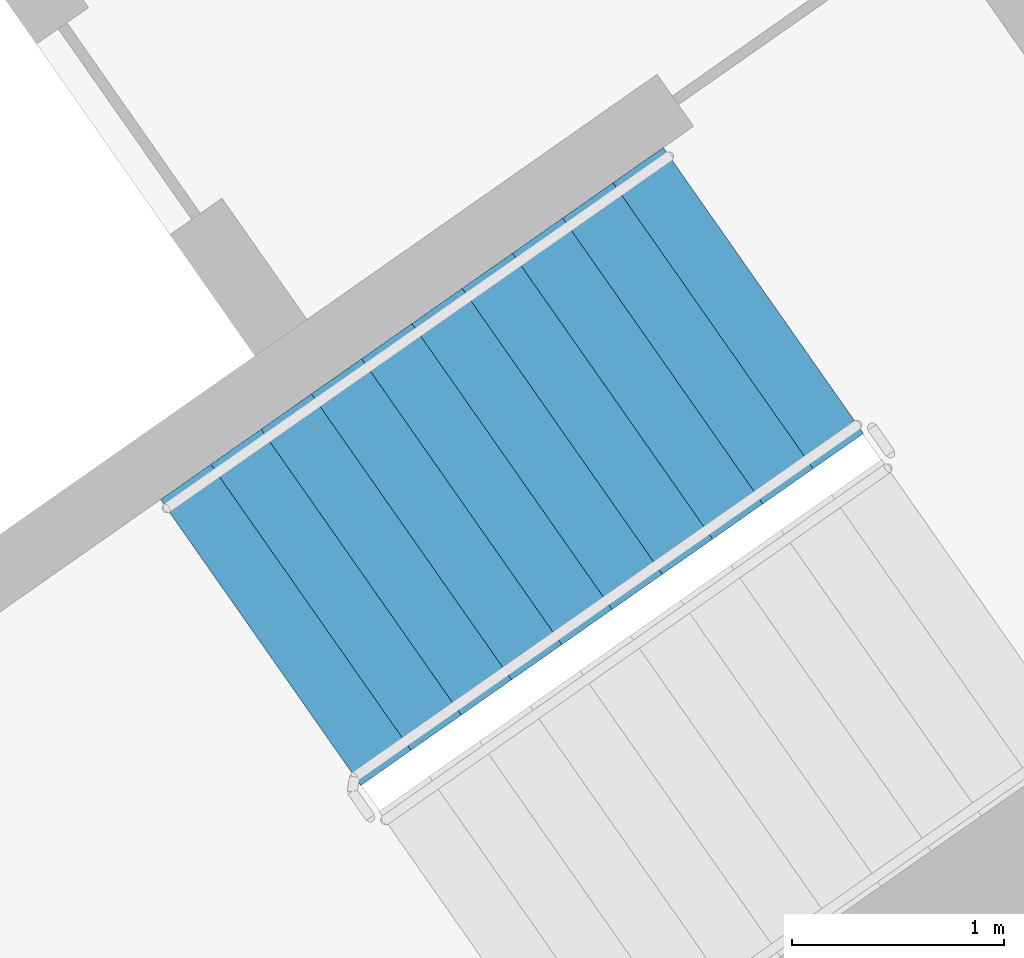
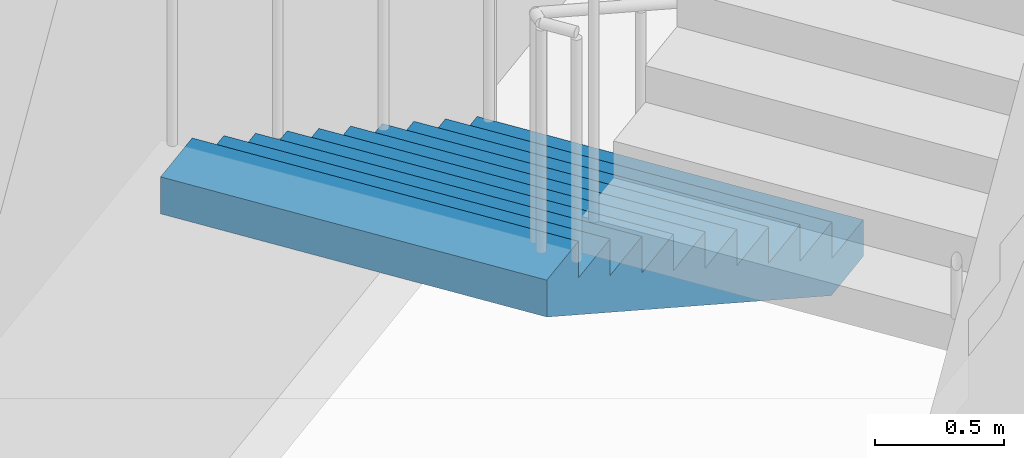
# One storey, part 14 of 27: 1 stair flight, 1 element without a shape of its own.
"""IFC4 building model written with IfcOpenShell, lengths in metres."""

from ifc_helpers import new_model, si_unit, direction, frame, origin, place, context, subcontext, project, spatial, faceted_brep, material, type_object, element, aggregate, save


model = new_model("IFC4")

# Units and contexts
model_context = context("Model", 3, precision=1e-05, world=origin(), true_north=direction((0.0, 1.0)))
body_context = subcontext(model_context, "Body", "Model", "MODEL_VIEW")
ifc_project = project(units=[si_unit("LENGTHUNIT", "METRE"), si_unit("AREAUNIT", "SQUARE_METRE"), si_unit("VOLUMEUNIT", "CUBIC_METRE"), si_unit("PLANEANGLEUNIT", "RADIAN"), si_unit("MASSUNIT", "GRAM", prefix="KILO")], contexts=[model_context])

# Site, building, storey
site_placement = place(None, origin())
site = spatial("IfcSite", under=ifc_project, at=site_placement, CompositionType="ELEMENT")
building_placement = place(site_placement, origin())
building = spatial("IfcBuilding", under=site, at=building_placement, Name="Qamariyya Broadcast Tower", CompositionType="ELEMENT")
storey_placement = place(building_placement, frame((0.0, 0.0, 191.10009765625)))
storey = spatial("IfcBuildingStorey", under=building, at=storey_placement, Name="L45", CompositionType="ELEMENT", Elevation=191.10009765625)

# Stair, stair flight
ifc_material = material(Name="Concrete C50/60", Category="concrete")
stair_type = type_object("IfcStairType", Name="Exit stair 22 risers of 173 mm", PredefinedType="HALF_TURN_STAIR", material=ifc_material)
stair_placement = place(storey_placement, origin())
stair = element("IfcStair", 1, at=stair_placement, inside=storey, type_object=stair_type, Name="L45 Stair E1", PredefinedType="HALF_TURN_STAIR")
stair_flight_type = type_object("IfcStairFlightType", Name="Exit stair flight 11 risers of 173 mm", PredefinedType="STRAIGHT", material=ifc_material)
stair_flight_placement = place(storey_placement, frame((46.036376953125, -55.508056640625, 0.0), z_axis=(0.0, 0.0, 1.0), x_axis=(-0.819152044289, -0.573576436351, 0.0)))
stair_flight = element("IfcStairFlight", 2, at=stair_flight_placement, type_object=stair_flight_type, Name="ST-E1 flight 1", NumberOfRisers=11, NumberOfTreads=10, PredefinedType="STRAIGHT", RiserHeight=0.172727273, TreadLength=0.29, context=body_context, shape_type="Brep", body=[
    faceted_brep([(0.0, 0.824951171875, 0.0), (0.0, 0.824951171875, 0.172607421875), (0.2900390625, 0.824951171875, 0.172607421875), (0.2900390625, 0.824951171875, 0.345458984375), (0.580078125, 0.824951171875, 0.345458984375), (0.580078125, 0.824951171875, 0.51806640625), (0.8701171875, 0.824951171875, 0.51806640625), (0.8701171875, 0.824951171875, 0.69091796875), (1.159912109375, 0.824951171875, 0.69091796875), (1.159912109375, 0.824951171875, 0.863525390625), (1.449951171875, 0.824951171875, 0.863525390625), (1.449951171875, 0.824951171875, 1.036376953125), (1.739990234375, 0.824951171875, 1.036376953125), (1.739990234375, 0.824951171875, 1.208984375), (2.030029296875, 0.824951171875, 1.208984375), (2.030029296875, 0.824951171875, 1.3818359375), (2.320068359375, 0.824951171875, 1.3818359375), (2.320068359375, 0.824951171875, 1.554443359375), (2.610107421875, 0.824951171875, 1.554443359375), (2.610107421875, 0.824951171875, 1.727294921875), (2.89990234375, 0.824951171875, 1.727294921875), (2.89990234375, 0.824951171875, 1.552734375), (0.29296875, 0.824951171875, 0.0), (0.29296875, -0.824951171875, 0.0), (2.89990234375, -0.824951171875, 1.552734375), (2.89990234375, -0.824951171875, 1.727294921875), (2.610107421875, -0.824951171875, 1.727294921875), (2.610107421875, -0.824951171875, 1.554443359375), (2.320068359375, -0.824951171875, 1.554443359375), (2.320068359375, -0.824951171875, 1.3818359375), (2.030029296875, -0.824951171875, 1.3818359375), (2.030029296875, -0.824951171875, 1.208984375), (1.739990234375, -0.824951171875, 1.208984375), (1.739990234375, -0.824951171875, 1.036376953125), (1.449951171875, -0.824951171875, 1.036376953125), (1.449951171875, -0.824951171875, 0.863525390625), (1.159912109375, -0.824951171875, 0.863525390625), (1.159912109375, -0.824951171875, 0.69091796875), (0.8701171875, -0.824951171875, 0.69091796875), (0.8701171875, -0.824951171875, 0.51806640625), (0.580078125, -0.824951171875, 0.51806640625), (0.580078125, -0.824951171875, 0.345458984375), (0.2900390625, -0.824951171875, 0.345458984375), (0.2900390625, -0.824951171875, 0.172607421875), (0.0, -0.824951171875, 0.172607421875), (0.0, -0.824951171875, 0.0), (0.0, 0.10009765625, 0.0), (0.0, 0.086669921875, 0.0), (0.0, 0.0732421875, 0.0), (0.0, 0.06005859375, 0.0), (0.0, 0.046630859375, 0.0), (0.0, 0.033447265625, 0.0), (0.0, 0.02001953125, 0.0), (0.0, 0.006591796875, 0.0), (0.0, -0.006591796875, 0.0), (0.0, -0.02001953125, 0.0), (0.0, -0.033447265625, 0.0), (0.0, -0.046630859375, 0.0), (0.0, -0.06005859375, 0.0), (0.0, -0.0732421875, 0.0), (0.0, -0.086669921875, 0.0), (0.0, -0.10009765625, 0.0), (0.0, -0.10009765625, 0.172607421875), (0.0, -0.086669921875, 0.172607421875), (0.0, -0.0732421875, 0.172607421875), (0.0, -0.06005859375, 0.172607421875), (0.0, -0.046630859375, 0.172607421875), (0.0, -0.033447265625, 0.172607421875), (0.0, -0.02001953125, 0.172607421875), (0.0, -0.006591796875, 0.172607421875), (0.0, 0.006591796875, 0.172607421875), (0.0, 0.02001953125, 0.172607421875), (0.0, 0.033447265625, 0.172607421875), (0.0, 0.046630859375, 0.172607421875), (0.0, 0.06005859375, 0.172607421875), (0.0, 0.0732421875, 0.172607421875), (0.0, 0.086669921875, 0.172607421875), (0.0, 0.10009765625, 0.172607421875), (0.2900390625, -0.10009765625, 0.172607421875), (0.2900390625, -0.086669921875, 0.172607421875), (0.2900390625, -0.0732421875, 0.172607421875), (0.2900390625, -0.06005859375, 0.172607421875), (0.2900390625, -0.046630859375, 0.172607421875), (0.2900390625, -0.033447265625, 0.172607421875), (0.2900390625, -0.02001953125, 0.172607421875), (0.2900390625, -0.006591796875, 0.172607421875), (0.2900390625, 0.006591796875, 0.172607421875), (0.2900390625, 0.02001953125, 0.172607421875), (0.2900390625, 0.033447265625, 0.172607421875), (0.2900390625, 0.046630859375, 0.172607421875), (0.2900390625, 0.06005859375, 0.172607421875), (0.2900390625, 0.0732421875, 0.172607421875), (0.2900390625, 0.086669921875, 0.172607421875), (0.2900390625, 0.10009765625, 0.172607421875), (0.2900390625, -0.10009765625, 0.345458984375), (0.2900390625, -0.086669921875, 0.345458984375), (0.2900390625, -0.0732421875, 0.345458984375), (0.2900390625, -0.06005859375, 0.345458984375), (0.2900390625, -0.046630859375, 0.345458984375), (0.2900390625, -0.033447265625, 0.345458984375), (0.2900390625, -0.02001953125, 0.345458984375), (0.2900390625, -0.006591796875, 0.345458984375), (0.2900390625, 0.006591796875, 0.345458984375), (0.2900390625, 0.02001953125, 0.345458984375), (0.2900390625, 0.033447265625, 0.345458984375), (0.2900390625, 0.046630859375, 0.345458984375), (0.2900390625, 0.06005859375, 0.345458984375), (0.2900390625, 0.0732421875, 0.345458984375), (0.2900390625, 0.086669921875, 0.345458984375), (0.2900390625, 0.10009765625, 0.345458984375), (0.580078125, -0.10009765625, 0.345458984375), (0.580078125, -0.086669921875, 0.345458984375), (0.580078125, -0.0732421875, 0.345458984375), (0.580078125, -0.06005859375, 0.345458984375), (0.580078125, -0.046630859375, 0.345458984375), (0.580078125, -0.033447265625, 0.345458984375), (0.580078125, -0.02001953125, 0.345458984375), (0.580078125, -0.006591796875, 0.345458984375), (0.580078125, 0.006591796875, 0.345458984375), (0.580078125, 0.02001953125, 0.345458984375), (0.580078125, 0.033447265625, 0.345458984375), (0.580078125, 0.046630859375, 0.345458984375), (0.580078125, 0.06005859375, 0.345458984375), (0.580078125, 0.0732421875, 0.345458984375), (0.580078125, 0.086669921875, 0.345458984375), (0.580078125, 0.10009765625, 0.345458984375), (0.580078125, -0.10009765625, 0.51806640625), (0.580078125, -0.086669921875, 0.51806640625), (0.580078125, -0.0732421875, 0.51806640625), (0.580078125, -0.06005859375, 0.51806640625), (0.580078125, -0.046630859375, 0.51806640625), (0.580078125, -0.033447265625, 0.51806640625), (0.580078125, -0.02001953125, 0.51806640625), (0.580078125, -0.006591796875, 0.51806640625), (0.580078125, 0.006591796875, 0.51806640625), (0.580078125, 0.02001953125, 0.51806640625), (0.580078125, 0.033447265625, 0.51806640625), (0.580078125, 0.046630859375, 0.51806640625), (0.580078125, 0.06005859375, 0.51806640625), (0.580078125, 0.0732421875, 0.51806640625), (0.580078125, 0.086669921875, 0.51806640625), (0.580078125, 0.10009765625, 0.51806640625), (0.8701171875, -0.10009765625, 0.51806640625), (0.8701171875, -0.086669921875, 0.51806640625), (0.8701171875, -0.0732421875, 0.51806640625), (0.8701171875, -0.06005859375, 0.51806640625), (0.8701171875, -0.046630859375, 0.51806640625), (0.8701171875, -0.033447265625, 0.51806640625), (0.8701171875, -0.02001953125, 0.51806640625), (0.8701171875, -0.006591796875, 0.51806640625), (0.8701171875, 0.006591796875, 0.51806640625), (0.8701171875, 0.02001953125, 0.51806640625), (0.8701171875, 0.033447265625, 0.51806640625), (0.8701171875, 0.046630859375, 0.51806640625), (0.8701171875, 0.06005859375, 0.51806640625), (0.8701171875, 0.0732421875, 0.51806640625), (0.8701171875, 0.086669921875, 0.51806640625), (0.8701171875, 0.10009765625, 0.51806640625), (0.8701171875, -0.10009765625, 0.69091796875), (0.8701171875, -0.086669921875, 0.69091796875), (0.8701171875, -0.0732421875, 0.69091796875), (0.8701171875, -0.06005859375, 0.69091796875), (0.8701171875, -0.046630859375, 0.69091796875), (0.8701171875, -0.033447265625, 0.69091796875), (0.8701171875, -0.02001953125, 0.69091796875), (0.8701171875, -0.006591796875, 0.69091796875), (0.8701171875, 0.006591796875, 0.69091796875), (0.8701171875, 0.02001953125, 0.69091796875), (0.8701171875, 0.033447265625, 0.69091796875), (0.8701171875, 0.046630859375, 0.69091796875), (0.8701171875, 0.06005859375, 0.69091796875), (0.8701171875, 0.0732421875, 0.69091796875), (0.8701171875, 0.086669921875, 0.69091796875), (0.8701171875, 0.10009765625, 0.69091796875), (1.159912109375, -0.10009765625, 0.69091796875), (1.159912109375, -0.086669921875, 0.69091796875), (1.159912109375, -0.0732421875, 0.69091796875), (1.159912109375, -0.06005859375, 0.69091796875), (1.159912109375, -0.046630859375, 0.69091796875), (1.159912109375, -0.033447265625, 0.69091796875), (1.159912109375, -0.02001953125, 0.69091796875), (1.159912109375, -0.006591796875, 0.69091796875), (1.159912109375, 0.006591796875, 0.69091796875), (1.159912109375, 0.02001953125, 0.69091796875), (1.159912109375, 0.033447265625, 0.69091796875), (1.159912109375, 0.046630859375, 0.69091796875), (1.159912109375, 0.06005859375, 0.69091796875), (1.159912109375, 0.0732421875, 0.69091796875), (1.159912109375, 0.086669921875, 0.69091796875), (1.159912109375, 0.10009765625, 0.69091796875), (1.159912109375, -0.10009765625, 0.863525390625), (1.159912109375, -0.086669921875, 0.863525390625), (1.159912109375, -0.0732421875, 0.863525390625), (1.159912109375, -0.06005859375, 0.863525390625), (1.159912109375, -0.046630859375, 0.863525390625), (1.159912109375, -0.033447265625, 0.863525390625), (1.159912109375, -0.02001953125, 0.863525390625), (1.159912109375, -0.006591796875, 0.863525390625), (1.159912109375, 0.006591796875, 0.863525390625), (1.159912109375, 0.02001953125, 0.863525390625), (1.159912109375, 0.033447265625, 0.863525390625), (1.159912109375, 0.046630859375, 0.863525390625), (1.159912109375, 0.06005859375, 0.863525390625), (1.159912109375, 0.0732421875, 0.863525390625), (1.159912109375, 0.086669921875, 0.863525390625), (1.159912109375, 0.10009765625, 0.863525390625), (1.449951171875, -0.10009765625, 0.863525390625), (1.449951171875, -0.086669921875, 0.863525390625), (1.449951171875, -0.0732421875, 0.863525390625), (1.449951171875, -0.06005859375, 0.863525390625), (1.449951171875, -0.046630859375, 0.863525390625), (1.449951171875, -0.033447265625, 0.863525390625), (1.449951171875, -0.02001953125, 0.863525390625), (1.449951171875, -0.006591796875, 0.863525390625), (1.449951171875, 0.006591796875, 0.863525390625), (1.449951171875, 0.02001953125, 0.863525390625), (1.449951171875, 0.033447265625, 0.863525390625), (1.449951171875, 0.046630859375, 0.863525390625), (1.449951171875, 0.06005859375, 0.863525390625), (1.449951171875, 0.0732421875, 0.863525390625), (1.449951171875, 0.086669921875, 0.863525390625), (1.449951171875, 0.10009765625, 0.863525390625), (1.449951171875, -0.10009765625, 1.036376953125), (1.449951171875, -0.086669921875, 1.036376953125), (1.449951171875, -0.0732421875, 1.036376953125), (1.449951171875, -0.06005859375, 1.036376953125), (1.449951171875, -0.046630859375, 1.036376953125), (1.449951171875, -0.033447265625, 1.036376953125), (1.449951171875, -0.02001953125, 1.036376953125), (1.449951171875, -0.006591796875, 1.036376953125), (1.449951171875, 0.006591796875, 1.036376953125), (1.449951171875, 0.02001953125, 1.036376953125), (1.449951171875, 0.033447265625, 1.036376953125), (1.449951171875, 0.046630859375, 1.036376953125), (1.449951171875, 0.06005859375, 1.036376953125), (1.449951171875, 0.0732421875, 1.036376953125), (1.449951171875, 0.086669921875, 1.036376953125), (1.449951171875, 0.10009765625, 1.036376953125), (1.739990234375, -0.10009765625, 1.036376953125), (1.739990234375, -0.086669921875, 1.036376953125), (1.739990234375, -0.0732421875, 1.036376953125), (1.739990234375, -0.06005859375, 1.036376953125), (1.739990234375, -0.046630859375, 1.036376953125), (1.739990234375, -0.033447265625, 1.036376953125), (1.739990234375, -0.02001953125, 1.036376953125), (1.739990234375, -0.006591796875, 1.036376953125), (1.739990234375, 0.006591796875, 1.036376953125), (1.739990234375, 0.02001953125, 1.036376953125), (1.739990234375, 0.033447265625, 1.036376953125), (1.739990234375, 0.046630859375, 1.036376953125), (1.739990234375, 0.06005859375, 1.036376953125), (1.739990234375, 0.0732421875, 1.036376953125), (1.739990234375, 0.086669921875, 1.036376953125), (1.739990234375, 0.10009765625, 1.036376953125), (1.739990234375, -0.10009765625, 1.208984375), (1.739990234375, -0.086669921875, 1.208984375), (1.739990234375, -0.0732421875, 1.208984375), (1.739990234375, -0.06005859375, 1.208984375), (1.739990234375, -0.046630859375, 1.208984375), (1.739990234375, -0.033447265625, 1.208984375), (1.739990234375, -0.02001953125, 1.208984375), (1.739990234375, -0.006591796875, 1.208984375), (1.739990234375, 0.006591796875, 1.208984375), (1.739990234375, 0.02001953125, 1.208984375), (1.739990234375, 0.033447265625, 1.208984375), (1.739990234375, 0.046630859375, 1.208984375), (1.739990234375, 0.06005859375, 1.208984375), (1.739990234375, 0.0732421875, 1.208984375), (1.739990234375, 0.086669921875, 1.208984375), (1.739990234375, 0.10009765625, 1.208984375), (2.030029296875, -0.10009765625, 1.208984375), (2.030029296875, -0.086669921875, 1.208984375), (2.030029296875, -0.0732421875, 1.208984375), (2.030029296875, -0.06005859375, 1.208984375), (2.030029296875, -0.046630859375, 1.208984375), (2.030029296875, -0.033447265625, 1.208984375), (2.030029296875, -0.02001953125, 1.208984375), (2.030029296875, -0.006591796875, 1.208984375), (2.030029296875, 0.006591796875, 1.208984375), (2.030029296875, 0.02001953125, 1.208984375), (2.030029296875, 0.033447265625, 1.208984375), (2.030029296875, 0.046630859375, 1.208984375), (2.030029296875, 0.06005859375, 1.208984375), (2.030029296875, 0.0732421875, 1.208984375), (2.030029296875, 0.086669921875, 1.208984375), (2.030029296875, 0.10009765625, 1.208984375), (2.030029296875, -0.10009765625, 1.3818359375), (2.030029296875, -0.086669921875, 1.3818359375), (2.030029296875, -0.0732421875, 1.3818359375), (2.030029296875, -0.06005859375, 1.3818359375), (2.030029296875, -0.046630859375, 1.3818359375), (2.030029296875, -0.033447265625, 1.3818359375), (2.030029296875, -0.02001953125, 1.3818359375), (2.030029296875, -0.006591796875, 1.3818359375), (2.030029296875, 0.006591796875, 1.3818359375), (2.030029296875, 0.02001953125, 1.3818359375), (2.030029296875, 0.033447265625, 1.3818359375), (2.030029296875, 0.046630859375, 1.3818359375), (2.030029296875, 0.06005859375, 1.3818359375), (2.030029296875, 0.0732421875, 1.3818359375), (2.030029296875, 0.086669921875, 1.3818359375), (2.030029296875, 0.10009765625, 1.3818359375), (2.320068359375, -0.10009765625, 1.3818359375), (2.320068359375, -0.086669921875, 1.3818359375), (2.320068359375, -0.0732421875, 1.3818359375), (2.320068359375, -0.06005859375, 1.3818359375), (2.320068359375, -0.046630859375, 1.3818359375), (2.320068359375, -0.033447265625, 1.3818359375), (2.320068359375, -0.02001953125, 1.3818359375), (2.320068359375, -0.006591796875, 1.3818359375), (2.320068359375, 0.006591796875, 1.3818359375), (2.320068359375, 0.02001953125, 1.3818359375), (2.320068359375, 0.033447265625, 1.3818359375), (2.320068359375, 0.046630859375, 1.3818359375), (2.320068359375, 0.06005859375, 1.3818359375), (2.320068359375, 0.0732421875, 1.3818359375), (2.320068359375, 0.086669921875, 1.3818359375), (2.320068359375, 0.10009765625, 1.3818359375), (2.320068359375, -0.10009765625, 1.554443359375), (2.320068359375, -0.086669921875, 1.554443359375), (2.320068359375, -0.0732421875, 1.554443359375), (2.320068359375, -0.06005859375, 1.554443359375), (2.320068359375, -0.046630859375, 1.554443359375), (2.320068359375, -0.033447265625, 1.554443359375), (2.320068359375, -0.02001953125, 1.554443359375), (2.320068359375, -0.006591796875, 1.554443359375), (2.320068359375, 0.006591796875, 1.554443359375), (2.320068359375, 0.02001953125, 1.554443359375), (2.320068359375, 0.033447265625, 1.554443359375), (2.320068359375, 0.046630859375, 1.554443359375), (2.320068359375, 0.06005859375, 1.554443359375), (2.320068359375, 0.0732421875, 1.554443359375), (2.320068359375, 0.086669921875, 1.554443359375), (2.320068359375, 0.10009765625, 1.554443359375), (2.610107421875, -0.10009765625, 1.554443359375), (2.610107421875, -0.086669921875, 1.554443359375), (2.610107421875, -0.0732421875, 1.554443359375), (2.610107421875, -0.06005859375, 1.554443359375), (2.610107421875, -0.046630859375, 1.554443359375), (2.610107421875, -0.033447265625, 1.554443359375), (2.610107421875, -0.02001953125, 1.554443359375), (2.610107421875, -0.006591796875, 1.554443359375), (2.610107421875, 0.006591796875, 1.554443359375), (2.610107421875, 0.02001953125, 1.554443359375), (2.610107421875, 0.033447265625, 1.554443359375), (2.610107421875, 0.046630859375, 1.554443359375), (2.610107421875, 0.06005859375, 1.554443359375), (2.610107421875, 0.0732421875, 1.554443359375), (2.610107421875, 0.086669921875, 1.554443359375), (2.610107421875, 0.10009765625, 1.554443359375), (2.610107421875, -0.10009765625, 1.727294921875), (2.610107421875, -0.086669921875, 1.727294921875), (2.610107421875, -0.0732421875, 1.727294921875), (2.610107421875, -0.06005859375, 1.727294921875), (2.610107421875, -0.046630859375, 1.727294921875), (2.610107421875, -0.033447265625, 1.727294921875), (2.610107421875, -0.02001953125, 1.727294921875), (2.610107421875, -0.006591796875, 1.727294921875), (2.610107421875, 0.006591796875, 1.727294921875), (2.610107421875, 0.02001953125, 1.727294921875), (2.610107421875, 0.033447265625, 1.727294921875), (2.610107421875, 0.046630859375, 1.727294921875), (2.610107421875, 0.06005859375, 1.727294921875), (2.610107421875, 0.0732421875, 1.727294921875), (2.610107421875, 0.086669921875, 1.727294921875), (2.610107421875, 0.10009765625, 1.727294921875), (2.89990234375, -0.10009765625, 1.727294921875), (2.89990234375, -0.086669921875, 1.727294921875), (2.89990234375, -0.0732421875, 1.727294921875), (2.89990234375, -0.06005859375, 1.727294921875), (2.89990234375, -0.046630859375, 1.727294921875), (2.89990234375, -0.033447265625, 1.727294921875), (2.89990234375, -0.02001953125, 1.727294921875), (2.89990234375, -0.006591796875, 1.727294921875), (2.89990234375, 0.006591796875, 1.727294921875), (2.89990234375, 0.02001953125, 1.727294921875), (2.89990234375, 0.033447265625, 1.727294921875), (2.89990234375, 0.046630859375, 1.727294921875), (2.89990234375, 0.06005859375, 1.727294921875), (2.89990234375, 0.0732421875, 1.727294921875), (2.89990234375, 0.086669921875, 1.727294921875), (2.89990234375, 0.10009765625, 1.727294921875), (2.89990234375, -0.10009765625, 1.552734375), (2.89990234375, -0.086669921875, 1.552734375), (2.89990234375, -0.0732421875, 1.552734375), (2.89990234375, -0.06005859375, 1.552734375), (2.89990234375, -0.046630859375, 1.552734375), (2.89990234375, -0.033447265625, 1.552734375), (2.89990234375, -0.02001953125, 1.552734375), (2.89990234375, -0.006591796875, 1.552734375), (2.89990234375, 0.006591796875, 1.552734375), (2.89990234375, 0.02001953125, 1.552734375), (2.89990234375, 0.033447265625, 1.552734375), (2.89990234375, 0.046630859375, 1.552734375), (2.89990234375, 0.06005859375, 1.552734375), (2.89990234375, 0.0732421875, 1.552734375), (2.89990234375, 0.086669921875, 1.552734375), (2.89990234375, 0.10009765625, 1.552734375), (0.29296875, -0.10009765625, 0.0), (0.29296875, -0.086669921875, 0.0), (0.29296875, -0.0732421875, 0.0), (0.29296875, -0.06005859375, 0.0), (0.29296875, -0.046630859375, 0.0), (0.29296875, -0.033447265625, 0.0), (0.29296875, -0.02001953125, 0.0), (0.29296875, -0.006591796875, 0.0), (0.29296875, 0.006591796875, 0.0), (0.29296875, 0.02001953125, 0.0), (0.29296875, 0.033447265625, 0.0), (0.29296875, 0.046630859375, 0.0), (0.29296875, 0.06005859375, 0.0), (0.29296875, 0.0732421875, 0.0), (0.29296875, 0.086669921875, 0.0), (0.29296875, 0.10009765625, 0.0)], [[[0, 1, 2, 3, 4, 5, 6, 7, 8, 9, 10, 11, 12, 13, 14, 15, 16, 17, 18, 19, 20, 21, 22]], [[23, 24, 25, 26, 27, 28, 29, 30, 31, 32, 33, 34, 35, 36, 37, 38, 39, 40, 41, 42, 43, 44, 45]], [[0, 46, 47, 48, 49, 50, 51, 52, 53, 54, 55, 56, 57, 58, 59, 60, 61, 45, 44, 62, 63, 64, 65, 66, 67, 68, 69, 70, 71, 72, 73, 74, 75, 76, 77, 1]], [[1, 77, 76, 75, 74, 73, 72, 71, 70, 69, 68, 67, 66, 65, 64, 63, 62, 44, 43, 78, 79, 80, 81, 82, 83, 84, 85, 86, 87, 88, 89, 90, 91, 92, 93, 2]], [[2, 93, 92, 91, 90, 89, 88, 87, 86, 85, 84, 83, 82, 81, 80, 79, 78, 43, 42, 94, 95, 96, 97, 98, 99, 100, 101, 102, 103, 104, 105, 106, 107, 108, 109, 3]], [[3, 109, 108, 107, 106, 105, 104, 103, 102, 101, 100, 99, 98, 97, 96, 95, 94, 42, 41, 110, 111, 112, 113, 114, 115, 116, 117, 118, 119, 120, 121, 122, 123, 124, 125, 4]], [[4, 125, 124, 123, 122, 121, 120, 119, 118, 117, 116, 115, 114, 113, 112, 111, 110, 41, 40, 126, 127, 128, 129, 130, 131, 132, 133, 134, 135, 136, 137, 138, 139, 140, 141, 5]], [[5, 141, 140, 139, 138, 137, 136, 135, 134, 133, 132, 131, 130, 129, 128, 127, 126, 40, 39, 142, 143, 144, 145, 146, 147, 148, 149, 150, 151, 152, 153, 154, 155, 156, 157, 6]], [[6, 157, 156, 155, 154, 153, 152, 151, 150, 149, 148, 147, 146, 145, 144, 143, 142, 39, 38, 158, 159, 160, 161, 162, 163, 164, 165, 166, 167, 168, 169, 170, 171, 172, 173, 7]], [[7, 173, 172, 171, 170, 169, 168, 167, 166, 165, 164, 163, 162, 161, 160, 159, 158, 38, 37, 174, 175, 176, 177, 178, 179, 180, 181, 182, 183, 184, 185, 186, 187, 188, 189, 8]], [[8, 189, 188, 187, 186, 185, 184, 183, 182, 181, 180, 179, 178, 177, 176, 175, 174, 37, 36, 190, 191, 192, 193, 194, 195, 196, 197, 198, 199, 200, 201, 202, 203, 204, 205, 9]], [[9, 205, 204, 203, 202, 201, 200, 199, 198, 197, 196, 195, 194, 193, 192, 191, 190, 36, 35, 206, 207, 208, 209, 210, 211, 212, 213, 214, 215, 216, 217, 218, 219, 220, 221, 10]], [[10, 221, 220, 219, 218, 217, 216, 215, 214, 213, 212, 211, 210, 209, 208, 207, 206, 35, 34, 222, 223, 224, 225, 226, 227, 228, 229, 230, 231, 232, 233, 234, 235, 236, 237, 11]], [[11, 237, 236, 235, 234, 233, 232, 231, 230, 229, 228, 227, 226, 225, 224, 223, 222, 34, 33, 238, 239, 240, 241, 242, 243, 244, 245, 246, 247, 248, 249, 250, 251, 252, 253, 12]], [[12, 253, 252, 251, 250, 249, 248, 247, 246, 245, 244, 243, 242, 241, 240, 239, 238, 33, 32, 254, 255, 256, 257, 258, 259, 260, 261, 262, 263, 264, 265, 266, 267, 268, 269, 13]], [[13, 269, 268, 267, 266, 265, 264, 263, 262, 261, 260, 259, 258, 257, 256, 255, 254, 32, 31, 270, 271, 272, 273, 274, 275, 276, 277, 278, 279, 280, 281, 282, 283, 284, 285, 14]], [[14, 285, 284, 283, 282, 281, 280, 279, 278, 277, 276, 275, 274, 273, 272, 271, 270, 31, 30, 286, 287, 288, 289, 290, 291, 292, 293, 294, 295, 296, 297, 298, 299, 300, 301, 15]], [[15, 301, 300, 299, 298, 297, 296, 295, 294, 293, 292, 291, 290, 289, 288, 287, 286, 30, 29, 302, 303, 304, 305, 306, 307, 308, 309, 310, 311, 312, 313, 314, 315, 316, 317, 16]], [[16, 317, 316, 315, 314, 313, 312, 311, 310, 309, 308, 307, 306, 305, 304, 303, 302, 29, 28, 318, 319, 320, 321, 322, 323, 324, 325, 326, 327, 328, 329, 330, 331, 332, 333, 17]], [[17, 333, 332, 331, 330, 329, 328, 327, 326, 325, 324, 323, 322, 321, 320, 319, 318, 28, 27, 334, 335, 336, 337, 338, 339, 340, 341, 342, 343, 344, 345, 346, 347, 348, 349, 18]], [[18, 349, 348, 347, 346, 345, 344, 343, 342, 341, 340, 339, 338, 337, 336, 335, 334, 27, 26, 350, 351, 352, 353, 354, 355, 356, 357, 358, 359, 360, 361, 362, 363, 364, 365, 19]], [[19, 365, 364, 363, 362, 361, 360, 359, 358, 357, 356, 355, 354, 353, 352, 351, 350, 26, 25, 366, 367, 368, 369, 370, 371, 372, 373, 374, 375, 376, 377, 378, 379, 380, 381, 20]], [[20, 381, 380, 379, 378, 377, 376, 375, 374, 373, 372, 371, 370, 369, 368, 367, 366, 25, 24, 382, 383, 384, 385, 386, 387, 388, 389, 390, 391, 392, 393, 394, 395, 396, 397, 21]], [[21, 397, 396, 395, 394, 393, 392, 391, 390, 389, 388, 387, 386, 385, 384, 383, 382, 24, 23, 398, 399, 400, 401, 402, 403, 404, 405, 406, 407, 408, 409, 410, 411, 412, 413, 22]], [[22, 413, 412, 411, 410, 409, 408, 407, 406, 405, 404, 403, 402, 401, 400, 399, 398, 23, 45, 61, 60, 59, 58, 57, 56, 55, 54, 53, 52, 51, 50, 49, 48, 47, 46, 0]]]),
])
aggregate(stair, [stair_flight])

save(model, "model.ifc")
